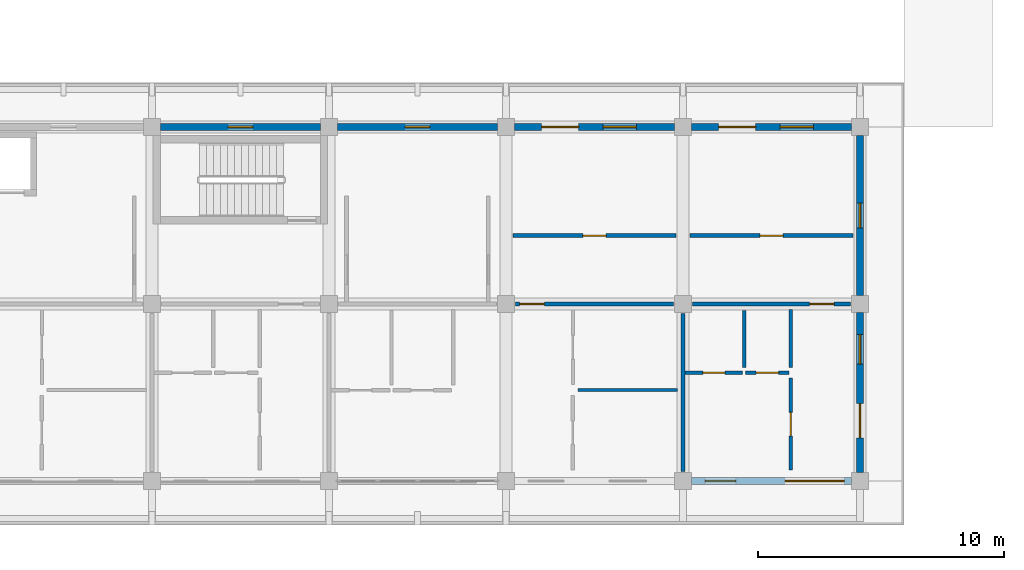
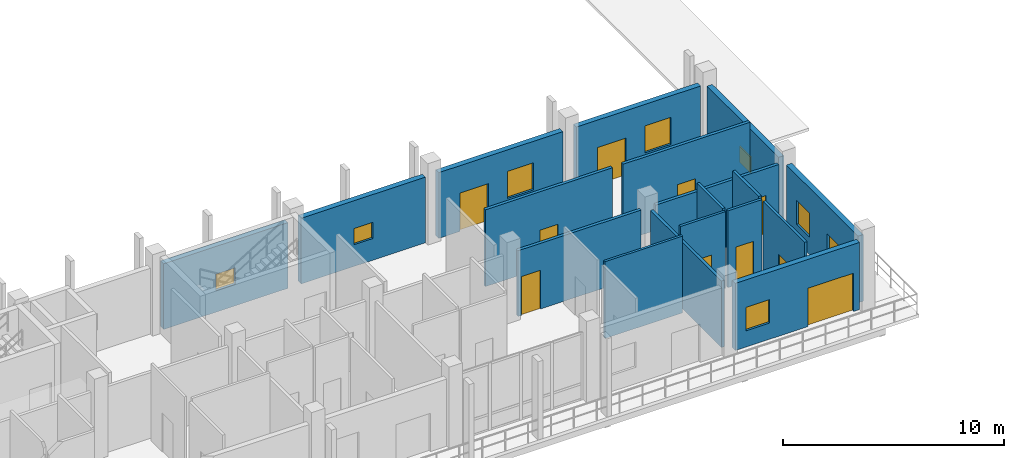
# One storey, part 67 of 110: 18 walls, 11 doors, 7 windows, 18 openings.
"""IFC4 building model written with IfcOpenShell, lengths in metres."""

from ifc_helpers import new_model, si_unit, direction, frame, frame_2d, origin, place, context, subcontext, project, spatial, rectangle, extrude, material, layer, layer_set, type_object, element, fill, save


model = new_model("IFC4")

# Units and contexts
model_context = context("Model", 3, precision=1e-05, world=origin(), true_north=direction((0.0, 1.0)))
body_context = subcontext(model_context, "Body", "Model", "MODEL_VIEW")
ifc_project = project(units=[si_unit("LENGTHUNIT", "METRE"), si_unit("AREAUNIT", "SQUARE_METRE"), si_unit("VOLUMEUNIT", "CUBIC_METRE"), si_unit("PLANEANGLEUNIT", "RADIAN"), si_unit("MASSUNIT", "GRAM", prefix="KILO")], contexts=[model_context])

# Site, building, storey
site_placement = place(None, origin())
site = spatial("IfcSite", under=ifc_project, at=site_placement, CompositionType="ELEMENT")
building_placement = place(site_placement, origin())
building = spatial("IfcBuilding", under=site, at=building_placement, Name="Suanplinth Sawtooth Commons", CompositionType="ELEMENT")
storey_placement = place(building_placement, frame((0.0, 0.0, 4.5)))
storey = spatial("IfcBuildingStorey", under=building, at=storey_placement, Name="L01", CompositionType="ELEMENT", Elevation=4.5)

# Wall, opening, window
ifc_material_1 = material(Name="Precast concrete C40/50", Category="concrete")
ifc_layer_1 = layer(ifc_material_1, 0.280029296875, Name="Insulated precast architectural facade wall 280mm")
ifc_layer_set_1 = layer_set([ifc_layer_1], Name="Precast concrete C40/50")
wall_type_1 = type_object("IfcWallType", Name="W-EX01", PredefinedType="ELEMENTEDWALL", material=ifc_layer_set_1)
wall_1_placement = place(storey_placement, frame((29.14990234375, 14.39990234375, 0.0), z_axis=(0.0, 0.0, 1.0), x_axis=(1.0, 0.0, 0.0)))
wall_1 = element("IfcWall", 1, at=wall_1_placement, inside=storey, type_object=wall_type_1, Name="Facade Wall W-L01-D-N-4-1", PredefinedType="ELEMENTEDWALL", context=body_context, shape_type="SweptSolid", body=[
    extrude(rectangle(XDim=6.5, YDim=0.280029296875, at=frame_2d((3.25, 0.0))), origin(), (0.0, 0.0, 1.0), 3.635009765625),
])
opening_1_placement = place(wall_1_placement, frame((2.75, 0.0, 1.199951171875)))
opening_1 = element("IfcOpeningElement", 2, at=opening_1_placement, cuts=wall_1, Name="Opening W0242", PredefinedType="OPENING", context=body_context, shape_type="SweptSolid", body=[
    extrude(rectangle(XDim=1.0, YDim=0.89990234375, at=frame_2d((0.5, 0.449951171875))), frame((0.0, 0.15478515625, 0.0), z_axis=(0.0, -1.0, 0.0), x_axis=(1.0, 0.0, 0.0)), (0.0, 0.0, 1.0), 0.309814453125),
])
ifc_material_2 = material(Name="Thermally broken aluminium and low-E double glazing", Category="aluminium")
window_type_1 = type_object("IfcWindowType", Name="WN-12", PartitioningType="SINGLE_PANEL", PredefinedType="WINDOW", material=ifc_material_2)
window_1_placement = place(opening_1_placement, origin())
window_1 = element("IfcWindow", 3, at=window_1_placement, inside=storey, type_object=window_type_1, Name="Core Daylight Window L01-D-4-1", OverallHeight=0.89990234375, OverallWidth=1.0, PartitioningType="SINGLE_PANEL", PredefinedType="WINDOW", context=body_context, shape_type="SweptSolid", body=[
    extrude(rectangle(XDim=1.0, YDim=0.89990234375, at=frame_2d((0.5, 0.449951171875))), frame((0.0, 0.030029296875, 0.0), z_axis=(0.0, -1.0, 0.0), x_axis=(1.0, 0.0, 0.0)), (0.0, 0.0, 1.0), 0.06005859375),
])
fill(opening_1, window_1)

wall_2_placement = place(storey_placement, frame((36.35009765625, 14.39990234375, 0.0), z_axis=(0.0, 0.0, 1.0), x_axis=(1.0, 0.0, 0.0)))
wall_2 = element("IfcWall", 4, at=wall_2_placement, inside=storey, type_object=wall_type_1, Name="Facade Wall W-L01-D-N-5-1", PredefinedType="ELEMENTEDWALL", context=body_context, shape_type="SweptSolid", body=[
    extrude(rectangle(XDim=6.5, YDim=0.280029296875, at=frame_2d((3.25, 0.0))), origin(), (0.0, 0.0, 1.0), 3.635009765625),
])
opening_2_placement = place(wall_2_placement, frame((2.75, 0.0, 1.199951171875)))
opening_2 = element("IfcOpeningElement", 5, at=opening_2_placement, cuts=wall_2, Name="Opening W0243", PredefinedType="OPENING", context=body_context, shape_type="SweptSolid", body=[
    extrude(rectangle(XDim=1.0, YDim=0.89990234375, at=frame_2d((0.5, 0.449951171875))), frame((0.0, 0.15478515625, 0.0), z_axis=(0.0, -1.0, 0.0), x_axis=(1.0, 0.0, 0.0)), (0.0, 0.0, 1.0), 0.309814453125),
])
window_2_placement = place(opening_2_placement, origin())
window_2 = element("IfcWindow", 6, at=window_2_placement, inside=storey, type_object=window_type_1, Name="Core Daylight Window L01-D-5-1", OverallHeight=0.89990234375, OverallWidth=1.0, PartitioningType="SINGLE_PANEL", PredefinedType="WINDOW", context=body_context, shape_type="SweptSolid", body=[
    extrude(rectangle(XDim=1.0, YDim=0.89990234375, at=frame_2d((0.5, 0.449951171875))), frame((0.0, 0.030029296875, 0.0), z_axis=(0.0, -1.0, 0.0), x_axis=(1.0, 0.0, 0.0)), (0.0, 0.0, 1.0), 0.06005859375),
])
fill(opening_2, window_2)

# Wall, openings, door, window
wall_3_placement = place(storey_placement, frame((43.550048828125, 14.39990234375, 0.0), z_axis=(0.0, 0.0, 1.0), x_axis=(1.0, 0.0, 0.0)))
wall_3 = element("IfcWall", 7, at=wall_3_placement, inside=storey, type_object=wall_type_1, Name="Facade Wall W-L01-D-N-6-1", PredefinedType="ELEMENTEDWALL", context=body_context, shape_type="SweptSolid", body=[
    extrude(rectangle(XDim=6.5, YDim=0.280029296875, at=frame_2d((3.25, 0.0))), origin(), (0.0, 0.0, 1.0), 3.635009765625),
])
opening_3_placement = place(wall_3_placement, frame((1.10009765625, 0.0, 0.0)))
opening_3 = element("IfcOpeningElement", 8, at=opening_3_placement, cuts=wall_3, Name="Opening ED0125", PredefinedType="OPENING", context=body_context, shape_type="SweptSolid", body=[
    extrude(rectangle(XDim=1.5, YDim=2.1201171875, at=frame_2d((0.75, 1.06005859375))), frame((0.0, 0.15478515625, 0.0), z_axis=(0.0, -1.0, 0.0), x_axis=(1.0, 0.0, 0.0)), (0.0, 0.0, 1.0), 0.309814453125),
])
opening_4_placement = place(wall_3_placement, frame((3.60009765625, 0.0, 0.949951171875)))
opening_4 = element("IfcOpeningElement", 9, at=opening_4_placement, cuts=wall_3, Name="Opening W0245", PredefinedType="OPENING", context=body_context, shape_type="SweptSolid", body=[
    extrude(rectangle(XDim=1.35009765625, YDim=1.5, at=frame_2d((0.675048828125, 0.75))), frame((0.0, 0.15478515625, 0.0), z_axis=(0.0, -1.0, 0.0), x_axis=(1.0, 0.0, 0.0)), (0.0, 0.0, 1.0), 0.309814453125),
])
ifc_material_3 = material(Name="Anodized aluminium and low-E glass", Category="aluminium")
door_type_1 = type_object("IfcDoorType", Name="SD-03", OperationType="SLIDING_TO_LEFT", PredefinedType="DOOR", material=ifc_material_3)
door_1_placement = place(opening_3_placement, frame((1.5, 0.0, 0.0), z_axis=(0.0, 0.0, 1.0), x_axis=(-1.0, 0.0, 0.0)))
door_1 = element("IfcDoor", 10, at=door_1_placement, inside=storey, type_object=door_type_1, Name="Courtyard Balcony Door L01-D-6", OperationType="SLIDING_TO_LEFT", OverallHeight=2.1201171875, OverallWidth=1.5, PredefinedType="DOOR", context=body_context, shape_type="SweptSolid", body=[
    extrude(rectangle(XDim=1.5, YDim=2.1201171875, at=frame_2d((0.75, 1.06005859375))), frame((0.0, 0.02490234375, 0.0), z_axis=(0.0, -1.0, 0.0), x_axis=(1.0, 0.0, 0.0)), (0.0, 0.0, 1.0), 0.050048828125),
])
fill(opening_3, door_1)
window_type_2 = type_object("IfcWindowType", Name="WN-14", PartitioningType="SINGLE_PANEL", PredefinedType="WINDOW", material=ifc_material_2)
window_3_placement = place(opening_4_placement, origin())
window_3 = element("IfcWindow", 11, at=window_3_placement, inside=storey, type_object=window_type_2, Name="Courtyard Window L01-D-6", OverallHeight=1.5, OverallWidth=1.35009765625, PartitioningType="SINGLE_PANEL", PredefinedType="WINDOW", context=body_context, shape_type="SweptSolid", body=[
    extrude(rectangle(XDim=1.35009765625, YDim=1.5, at=frame_2d((0.675048828125, 0.75))), frame((0.0, 0.030029296875, 0.0), z_axis=(0.0, -1.0, 0.0), x_axis=(1.0, 0.0, 0.0)), (0.0, 0.0, 1.0), 0.06005859375),
])
fill(opening_4, window_3)

wall_4_placement = place(storey_placement, frame((50.75, 0.0, 0.0), z_axis=(0.0, 0.0, 1.0), x_axis=(1.0, 0.0, 0.0)))
wall_4 = element("IfcWall", 12, at=wall_4_placement, inside=storey, type_object=wall_type_1, Name="Facade Wall W-L01-D-S-7-0", PredefinedType="ELEMENTEDWALL", context=body_context, shape_type="SweptSolid", body=[
    extrude(rectangle(XDim=6.5, YDim=0.280029296875, at=frame_2d((3.25, 0.0))), origin(), (0.0, 0.0, 1.0), 3.715087890625),
])
opening_5_placement = place(wall_4_placement, frame((3.800048828125, 0.0, 0.0)))
opening_5 = element("IfcOpeningElement", 13, at=opening_5_placement, cuts=wall_4, Name="Opening ED0126", PredefinedType="OPENING", context=body_context, shape_type="SweptSolid", body=[
    extrude(rectangle(XDim=2.39990234375, YDim=2.1201171875, at=frame_2d((1.199951171875, 1.06005859375))), frame((0.0, 0.15478515625, 0.0), z_axis=(0.0, -1.0, 0.0), x_axis=(1.0, 0.0, 0.0)), (0.0, 0.0, 1.0), 0.309814453125),
])
opening_6_placement = place(wall_4_placement, frame((0.550048828125, 0.0, 0.89990234375)))
opening_6 = element("IfcOpeningElement", 14, at=opening_6_placement, cuts=wall_4, Name="Opening W0246", PredefinedType="OPENING", context=body_context, shape_type="SweptSolid", body=[
    extrude(rectangle(XDim=1.25, YDim=1.300048828125, at=frame_2d((0.625, 0.64990234375))), frame((0.0, 0.15478515625, 0.0), z_axis=(0.0, -1.0, 0.0), x_axis=(1.0, 0.0, 0.0)), (0.0, 0.0, 1.0), 0.309814453125),
])
door_type_2 = type_object("IfcDoorType", Name="SD-04", OperationType="DOUBLE_DOOR_SLIDING", PredefinedType="DOOR", material=ifc_material_3)
door_2_placement = place(opening_5_placement, frame((2.39990234375, 0.0, 0.0), z_axis=(0.0, 0.0, 1.0), x_axis=(-1.0, 0.0, 0.0)))
door_2 = element("IfcDoor", 15, at=door_2_placement, inside=storey, type_object=door_type_2, Name="Balcony Sliding Door L01-D-7", OperationType="DOUBLE_DOOR_SLIDING", OverallHeight=2.1201171875, OverallWidth=2.39990234375, PredefinedType="DOOR", context=body_context, shape_type="SweptSolid", body=[
    extrude(rectangle(XDim=2.39990234375, YDim=2.1201171875, at=frame_2d((1.199951171875, 1.06005859375))), frame((0.0, 0.02490234375, 0.0), z_axis=(0.0, -1.0, 0.0), x_axis=(1.0, 0.0, 0.0)), (0.0, 0.0, 1.0), 0.050048828125),
])
fill(opening_5, door_2)
window_type_3 = type_object("IfcWindowType", Name="WN-17", PartitioningType="SINGLE_PANEL", PredefinedType="WINDOW", material=ifc_material_2)
window_4_placement = place(opening_6_placement, origin())
window_4 = element("IfcWindow", 16, at=window_4_placement, inside=storey, type_object=window_type_3, Name="Apartment Window L01-D-7", OverallHeight=1.300048828125, OverallWidth=1.25, PartitioningType="SINGLE_PANEL", PredefinedType="WINDOW", context=body_context, shape_type="SweptSolid", body=[
    extrude(rectangle(XDim=1.25, YDim=1.300048828125, at=frame_2d((0.625, 0.64990234375))), frame((0.0, 0.030029296875, 0.0), z_axis=(0.0, -1.0, 0.0), x_axis=(1.0, 0.0, 0.0)), (0.0, 0.0, 1.0), 0.06005859375),
])
fill(opening_6, window_4)

wall_5_placement = place(storey_placement, frame((57.60009765625, 0.35009765625, 0.0), z_axis=(0.0, 0.0, 1.0), x_axis=(0.0, 1.0, 0.0)))
wall_5 = element("IfcWall", 17, at=wall_5_placement, inside=storey, type_object=wall_type_1, Name="Facade Wall W-L01-D-E-7-0", PredefinedType="ELEMENTEDWALL", context=body_context, shape_type="SweptSolid", body=[
    extrude(rectangle(XDim=6.5, YDim=0.280029296875, at=frame_2d((3.25, 0.0))), origin(), (0.0, 0.0, 1.0), 3.68505859375),
])
opening_7_placement = place(wall_5_placement, frame((1.39990234375, 0.0, 0.0)))
opening_7 = element("IfcOpeningElement", 18, at=opening_7_placement, cuts=wall_5, Name="Opening ED0127", PredefinedType="OPENING", context=body_context, shape_type="SweptSolid", body=[
    extrude(rectangle(XDim=1.39990234375, YDim=2.10009765625, at=frame_2d((0.699951171875, 1.050048828125))), frame((0.0, 0.15478515625, 0.0), z_axis=(0.0, -1.0, 0.0), x_axis=(1.0, 0.0, 0.0)), (0.0, 0.0, 1.0), 0.309814453125),
])
opening_8_placement = place(wall_5_placement, frame((4.39990234375, 0.0, 0.949951171875)))
opening_8 = element("IfcOpeningElement", 19, at=opening_8_placement, cuts=wall_5, Name="Opening W0247", PredefinedType="OPENING", context=body_context, shape_type="SweptSolid", body=[
    extrude(rectangle(XDim=1.199951171875, YDim=1.35009765625, at=frame_2d((0.60009765625, 0.675048828125))), frame((0.0, 0.15478515625, 0.0), z_axis=(0.0, -1.0, 0.0), x_axis=(1.0, 0.0, 0.0)), (0.0, 0.0, 1.0), 0.309814453125),
])
door_type_3 = type_object("IfcDoorType", Name="SD-07", OperationType="SLIDING_TO_RIGHT", PredefinedType="DOOR", material=ifc_material_3)
door_3_placement = place(opening_7_placement, frame((1.39990234375, 0.0, 0.0), z_axis=(0.0, 0.0, 1.0), x_axis=(-1.0, 0.0, 0.0)))
door_3 = element("IfcDoor", 20, at=door_3_placement, inside=storey, type_object=door_type_3, Name="End Balcony Sliding Door L01-D-E-7-0", OperationType="SLIDING_TO_RIGHT", OverallHeight=2.10009765625, OverallWidth=1.39990234375, PredefinedType="DOOR", context=body_context, shape_type="SweptSolid", body=[
    extrude(rectangle(XDim=1.39990234375, YDim=2.10009765625, at=frame_2d((0.699951171875, 1.050048828125))), frame((0.0, 0.02490234375, 0.0), z_axis=(0.0, -1.0, 0.0), x_axis=(1.0, 0.0, 0.0)), (0.0, 0.0, 1.0), 0.050048828125),
])
fill(opening_7, door_3)
window_type_4 = type_object("IfcWindowType", Name="WN-03", PartitioningType="SINGLE_PANEL", PredefinedType="WINDOW", material=ifc_material_2)
window_5_placement = place(opening_8_placement, origin())
window_5 = element("IfcWindow", 21, at=window_5_placement, inside=storey, type_object=window_type_4, Name="End Bedroom Window L01-D-7-0", OverallHeight=1.35009765625, OverallWidth=1.199951171875, PartitioningType="SINGLE_PANEL", PredefinedType="WINDOW", context=body_context, shape_type="SweptSolid", body=[
    extrude(rectangle(XDim=1.199951171875, YDim=1.35009765625, at=frame_2d((0.60009765625, 0.675048828125))), frame((0.0, 0.030029296875, 0.0), z_axis=(0.0, -1.0, 0.0), x_axis=(1.0, 0.0, 0.0)), (0.0, 0.0, 1.0), 0.06005859375),
])
fill(opening_8, window_5)

wall_6_placement = place(storey_placement, frame((50.75, 14.39990234375, 0.0), z_axis=(0.0, 0.0, 1.0), x_axis=(1.0, 0.0, 0.0)))
wall_6 = element("IfcWall", 22, at=wall_6_placement, inside=storey, type_object=wall_type_1, Name="Facade Wall W-L01-D-N-7-1", PredefinedType="ELEMENTEDWALL", context=body_context, shape_type="SweptSolid", body=[
    extrude(rectangle(XDim=6.5, YDim=0.280029296875, at=frame_2d((3.25, 0.0))), origin(), (0.0, 0.0, 1.0), 3.635009765625),
])
opening_9_placement = place(wall_6_placement, frame((1.10009765625, 0.0, 0.0)))
opening_9 = element("IfcOpeningElement", 23, at=opening_9_placement, cuts=wall_6, Name="Opening ED0128", PredefinedType="OPENING", context=body_context, shape_type="SweptSolid", body=[
    extrude(rectangle(XDim=1.5, YDim=2.1201171875, at=frame_2d((0.75, 1.06005859375))), frame((0.0, 0.15478515625, 0.0), z_axis=(0.0, -1.0, 0.0), x_axis=(1.0, 0.0, 0.0)), (0.0, 0.0, 1.0), 0.309814453125),
])
opening_10_placement = place(wall_6_placement, frame((3.60009765625, 0.0, 0.949951171875)))
opening_10 = element("IfcOpeningElement", 24, at=opening_10_placement, cuts=wall_6, Name="Opening W0248", PredefinedType="OPENING", context=body_context, shape_type="SweptSolid", body=[
    extrude(rectangle(XDim=1.35009765625, YDim=1.5, at=frame_2d((0.675048828125, 0.75))), frame((0.0, 0.15478515625, 0.0), z_axis=(0.0, -1.0, 0.0), x_axis=(1.0, 0.0, 0.0)), (0.0, 0.0, 1.0), 0.309814453125),
])
door_4_placement = place(opening_9_placement, frame((1.5, 0.0, 0.0), z_axis=(0.0, 0.0, 1.0), x_axis=(-1.0, 0.0, 0.0)))
door_4 = element("IfcDoor", 25, at=door_4_placement, inside=storey, type_object=door_type_1, Name="Courtyard Balcony Door L01-D-7", OperationType="SLIDING_TO_LEFT", OverallHeight=2.1201171875, OverallWidth=1.5, PredefinedType="DOOR", context=body_context, shape_type="SweptSolid", body=[
    extrude(rectangle(XDim=1.5, YDim=2.1201171875, at=frame_2d((0.75, 1.06005859375))), frame((0.0, 0.02490234375, 0.0), z_axis=(0.0, -1.0, 0.0), x_axis=(1.0, 0.0, 0.0)), (0.0, 0.0, 1.0), 0.050048828125),
])
fill(opening_9, door_4)
window_6_placement = place(opening_10_placement, origin())
window_6 = element("IfcWindow", 26, at=window_6_placement, inside=storey, type_object=window_type_2, Name="Courtyard Window L01-D-7", OverallHeight=1.5, OverallWidth=1.35009765625, PartitioningType="SINGLE_PANEL", PredefinedType="WINDOW", context=body_context, shape_type="SweptSolid", body=[
    extrude(rectangle(XDim=1.35009765625, YDim=1.5, at=frame_2d((0.675048828125, 0.75))), frame((0.0, 0.030029296875, 0.0), z_axis=(0.0, -1.0, 0.0), x_axis=(1.0, 0.0, 0.0)), (0.0, 0.0, 1.0), 0.06005859375),
])
fill(opening_10, window_6)

# Wall, opening, window
wall_7_placement = place(storey_placement, frame((57.60009765625, 7.550048828125, 0.0), z_axis=(0.0, 0.0, 1.0), x_axis=(0.0, 1.0, 0.0)))
wall_7 = element("IfcWall", 27, at=wall_7_placement, inside=storey, type_object=wall_type_1, Name="Facade Wall W-L01-D-E-7-1", PredefinedType="ELEMENTEDWALL", context=body_context, shape_type="SweptSolid", body=[
    extrude(rectangle(XDim=6.5, YDim=0.280029296875, at=frame_2d((3.25, 0.0))), origin(), (0.0, 0.0, 1.0), 3.68505859375),
])
opening_11_placement = place(wall_7_placement, frame((2.75, 0.0, 1.10009765625)))
opening_11 = element("IfcOpeningElement", 28, at=opening_11_placement, cuts=wall_7, Name="Opening W0249", PredefinedType="OPENING", context=body_context, shape_type="SweptSolid", body=[
    extrude(rectangle(XDim=1.0, YDim=0.89990234375, at=frame_2d((0.5, 0.449951171875))), frame((0.0, 0.15478515625, 0.0), z_axis=(0.0, -1.0, 0.0), x_axis=(1.0, 0.0, 0.0)), (0.0, 0.0, 1.0), 0.309814453125),
])
window_7_placement = place(opening_11_placement, origin())
window_7 = element("IfcWindow", 29, at=window_7_placement, inside=storey, type_object=window_type_1, Name="End Window L01-D-E-7-1", OverallHeight=0.89990234375, OverallWidth=1.0, PartitioningType="SINGLE_PANEL", PredefinedType="WINDOW", context=body_context, shape_type="SweptSolid", body=[
    extrude(rectangle(XDim=1.0, YDim=0.89990234375, at=frame_2d((0.5, 0.449951171875))), frame((0.0, 0.030029296875, 0.0), z_axis=(0.0, -1.0, 0.0), x_axis=(1.0, 0.0, 0.0)), (0.0, 0.0, 1.0), 0.06005859375),
])
fill(opening_11, window_7)

# Wall, opening, door
ifc_layer_2 = layer(ifc_material_1, 0.159912109375, Name="Fire-rated corridor and lobby wall 160mm")
ifc_layer_set_2 = layer_set([ifc_layer_2], Name="Precast concrete C40/50")
wall_type_2 = type_object("IfcWallType", Name="W-FW01", PredefinedType="PARTITIONING", material=ifc_layer_set_2)
wall_8_placement = place(storey_placement, frame((43.580078125, 7.199951171875, 0.0), z_axis=(0.0, 0.0, 1.0), x_axis=(1.0, 0.0, 0.0)))
wall_8 = element("IfcWall", 30, at=wall_8_placement, inside=storey, type_object=wall_type_2, Name="W-D-L01-U05-COR-S2", PredefinedType="PARTITIONING", context=body_context, shape_type="SweptSolid", body=[
    extrude(rectangle(XDim=6.43994140625, YDim=0.159912109375, at=frame_2d((3.219970703125, 0.0))), origin(), (0.0, 0.0, 1.0), 3.635009765625),
])
opening_12_placement = place(wall_8_placement, frame((0.179931640625, 0.0, 0.0)))
opening_12 = element("IfcOpeningElement", 31, at=opening_12_placement, cuts=wall_8, Name="Opening FD0665", PredefinedType="OPENING", context=body_context, shape_type="SweptSolid", body=[
    extrude(rectangle(XDim=1.0, YDim=2.14990234375, at=frame_2d((0.5, 1.074951171875))), frame((0.0, 0.0947265625, 0.0), z_axis=(0.0, -1.0, 0.0), x_axis=(1.0, 0.0, 0.0)), (0.0, 0.0, 1.0), 0.189697265625),
])
ifc_material_4 = material(Name="Teak hardwood fire-rated door assembly", Category="wood")
door_type_4 = type_object("IfcDoorType", Name="FD-03", OperationType="NOTDEFINED", PredefinedType="DOOR", material=ifc_material_4)
door_5_placement = place(opening_12_placement, frame((1.0, 0.0, 0.0), z_axis=(0.0, 0.0, 1.0), x_axis=(-1.0, 0.0, 0.0)))
door_5 = element("IfcDoor", 32, at=door_5_placement, inside=storey, type_object=door_type_4, Name="Unit Entrance Door FD0665", OperationType="SINGLE_SWING_LEFT", OverallHeight=2.14990234375, OverallWidth=1.0, PredefinedType="DOOR", context=body_context, shape_type="SweptSolid", body=[
    extrude(rectangle(XDim=1.0, YDim=2.14990234375, at=frame_2d((0.5, 1.074951171875))), frame((0.0, 0.02490234375, 0.0), z_axis=(0.0, -1.0, 0.0), x_axis=(1.0, 0.0, 0.0)), (0.0, 0.0, 1.0), 0.050048828125),
])
fill(opening_12, door_5)

wall_9_placement = place(storey_placement, frame((50.780029296875, 7.199951171875, 0.0), z_axis=(0.0, 0.0, 1.0), x_axis=(1.0, 0.0, 0.0)))
wall_9 = element("IfcWall", 33, at=wall_9_placement, inside=storey, type_object=wall_type_2, Name="W-D-L01-U06-COR", PredefinedType="PARTITIONING", context=body_context, shape_type="SweptSolid", body=[
    extrude(rectangle(XDim=6.43994140625, YDim=0.159912109375, at=frame_2d((3.219970703125, 0.0))), origin(), (0.0, 0.0, 1.0), 3.635009765625),
])
opening_13_placement = place(wall_9_placement, frame((4.77001953125, 0.0, 0.0)))
opening_13 = element("IfcOpeningElement", 34, at=opening_13_placement, cuts=wall_9, Name="Opening FD0670", PredefinedType="OPENING", context=body_context, shape_type="SweptSolid", body=[
    extrude(rectangle(XDim=1.0, YDim=2.14990234375, at=frame_2d((0.5, 1.074951171875))), frame((0.0, 0.0947265625, 0.0), z_axis=(0.0, -1.0, 0.0), x_axis=(1.0, 0.0, 0.0)), (0.0, 0.0, 1.0), 0.189697265625),
])
door_6_placement = place(opening_13_placement, frame((1.0, 0.0, 0.0), z_axis=(0.0, 0.0, 1.0), x_axis=(-1.0, 0.0, 0.0)))
door_6 = element("IfcDoor", 35, at=door_6_placement, inside=storey, type_object=door_type_4, Name="Unit Entrance Door FD0670", OperationType="SINGLE_SWING_RIGHT", OverallHeight=2.14990234375, OverallWidth=1.0, PredefinedType="DOOR", context=body_context, shape_type="SweptSolid", body=[
    extrude(rectangle(XDim=1.0, YDim=2.14990234375, at=frame_2d((0.5, 1.074951171875))), frame((0.0, 0.02490234375, 0.0), z_axis=(0.0, -1.0, 0.0), x_axis=(1.0, 0.0, 0.0)), (0.0, 0.0, 1.0), 0.050048828125),
])
fill(opening_13, door_6)

wall_10_placement = place(storey_placement, frame((43.47998046875, 9.97998046875, 0.0), z_axis=(0.0, 0.0, 1.0), x_axis=(1.0, 0.0, 0.0)))
wall_10 = element("IfcWall", 36, at=wall_10_placement, inside=storey, type_object=wall_type_2, Name="W-D-L01-COURTROOM-65-COR", PredefinedType="PARTITIONING", context=body_context, shape_type="SweptSolid", body=[
    extrude(rectangle(XDim=6.64013671875, YDim=0.159912109375, at=frame_2d((3.320068359375, 0.0))), origin(), (0.0, 0.0, 1.0), 4.25),
])
opening_14_placement = place(wall_10_placement, frame((2.85009765625, 0.0, 0.0)))
opening_14 = element("IfcOpeningElement", 37, at=opening_14_placement, cuts=wall_10, Name="Opening D0674", PredefinedType="OPENING", context=body_context, shape_type="SweptSolid", body=[
    extrude(rectangle(XDim=0.93994140625, YDim=2.1201171875, at=frame_2d((0.469970703125, 1.06005859375))), frame((0.0, 0.0947265625, 0.0), z_axis=(0.0, -1.0, 0.0), x_axis=(1.0, 0.0, 0.0)), (0.0, 0.0, 1.0), 0.189697265625),
])
ifc_material_5 = material(Name="Teak hardwood", Category="wood")
door_type_5 = type_object("IfcDoorType", Name="D-15", OperationType="NOTDEFINED", PredefinedType="DOOR", material=ifc_material_5)
door_7_placement = place(opening_14_placement, origin())
door_7 = element("IfcDoor", 38, at=door_7_placement, inside=storey, type_object=door_type_5, Name="Study Studio Door D0674", OperationType="SINGLE_SWING_RIGHT", OverallHeight=2.1201171875, OverallWidth=0.93994140625, PredefinedType="DOOR", context=body_context, shape_type="SweptSolid", body=[
    extrude(rectangle(XDim=0.93994140625, YDim=2.1201171875, at=frame_2d((0.469970703125, 1.06005859375))), frame((0.0, 0.02490234375, 0.0), z_axis=(0.0, -1.0, 0.0), x_axis=(1.0, 0.0, 0.0)), (0.0, 0.0, 1.0), 0.050048828125),
])
fill(opening_14, door_7)

wall_11_placement = place(storey_placement, frame((50.679931640625, 9.97998046875, 0.0), z_axis=(0.0, 0.0, 1.0), x_axis=(1.0, 0.0, 0.0)))
wall_11 = element("IfcWall", 39, at=wall_11_placement, inside=storey, type_object=wall_type_2, Name="W-D-L01-COURTROOM-66-COR", PredefinedType="PARTITIONING", context=body_context, shape_type="SweptSolid", body=[
    extrude(rectangle(XDim=6.64013671875, YDim=0.159912109375, at=frame_2d((3.320068359375, 0.0))), origin(), (0.0, 0.0, 1.0), 4.25),
])
opening_15_placement = place(wall_11_placement, frame((2.85009765625, 0.0, 0.0)))
opening_15 = element("IfcOpeningElement", 40, at=opening_15_placement, cuts=wall_11, Name="Opening D0675", PredefinedType="OPENING", context=body_context, shape_type="SweptSolid", body=[
    extrude(rectangle(XDim=0.93994140625, YDim=2.1201171875, at=frame_2d((0.469970703125, 1.06005859375))), frame((0.0, 0.0947265625, 0.0), z_axis=(0.0, -1.0, 0.0), x_axis=(1.0, 0.0, 0.0)), (0.0, 0.0, 1.0), 0.189697265625),
])
door_8_placement = place(opening_15_placement, origin())
door_8 = element("IfcDoor", 41, at=door_8_placement, inside=storey, type_object=door_type_5, Name="Study Studio Door D0675", OperationType="SINGLE_SWING_LEFT", OverallHeight=2.1201171875, OverallWidth=0.93994140625, PredefinedType="DOOR", context=body_context, shape_type="SweptSolid", body=[
    extrude(rectangle(XDim=0.93994140625, YDim=2.1201171875, at=frame_2d((0.469970703125, 1.06005859375))), frame((0.0, 0.02490234375, 0.0), z_axis=(0.0, -1.0, 0.0), x_axis=(1.0, 0.0, 0.0)), (0.0, 0.0, 1.0), 0.050048828125),
])
fill(opening_15, door_8)

# Wall
ifc_layer_3 = layer(ifc_material_1, 0.14990234375, Name="Acoustic precast party demising wall 150mm")
ifc_layer_set_3 = layer_set([ifc_layer_3], Name="Precast concrete C40/50")
wall_type_3 = type_object("IfcWallType", Name="W-FW02", PredefinedType="PARTITIONING", material=ifc_layer_set_3)
wall_12_placement = place(storey_placement, frame((50.39990234375, 0.3798828125, 0.0), z_axis=(0.0, 0.0, 1.0), x_axis=(0.0, 1.0, 0.0)))
element("IfcWall", 42, at=wall_12_placement, inside=storey, type_object=wall_type_3, Name="W-D-L01-U05-PTY", PredefinedType="PARTITIONING", context=body_context, shape_type="SweptSolid", body=[
    extrude(rectangle(XDim=6.440185546875, YDim=0.14990234375, at=frame_2d((3.22021484375, 0.0))), origin(), (0.0, 0.0, 1.0), 3.68505859375),
])

# Wall, opening, door
ifc_material_6 = material(Name="Gypsum plasterboard on steel stud", Category="steel")
ifc_layer_4 = layer(ifc_material_6, 0.139892578125, Name="Fire-rated kitchen partition 140mm")
ifc_layer_set_4 = layer_set([ifc_layer_4], Name="Gypsum plasterboard on steel stud")
wall_type_4 = type_object("IfcWallType", Name="W-PT01", PredefinedType="PARTITIONING", material=ifc_layer_set_4)
wall_13_placement = place(storey_placement, frame((52.949951171875, 4.39990234375, 0.0), z_axis=(0.0, 0.0, 1.0), x_axis=(1.0, 0.0, 0.0)))
wall_13 = element("IfcWall", 43, at=wall_13_placement, inside=storey, type_object=wall_type_4, Name="W-D-L01-U06-KIT1", PredefinedType="PARTITIONING", context=body_context, shape_type="SweptSolid", body=[
    extrude(rectangle(XDim=1.77001953125, YDim=0.139892578125, at=frame_2d((0.885009765625, 0.0))), origin(), (0.0, 0.0, 1.0), 4.25),
])
opening_16_placement = place(wall_13_placement, frame((0.425048828125, 0.0, 0.0)))
opening_16 = element("IfcOpeningElement", 44, at=opening_16_placement, cuts=wall_13, Name="Opening D0672", PredefinedType="OPENING", context=body_context, shape_type="SweptSolid", body=[
    extrude(rectangle(XDim=0.919921875, YDim=2.10009765625, at=frame_2d((0.4599609375, 1.050048828125))), frame((0.0, 0.0849609375, 0.0), z_axis=(0.0, -1.0, 0.0), x_axis=(1.0, 0.0, 0.0)), (0.0, 0.0, 1.0), 0.169677734375),
])
door_type_6 = type_object("IfcDoorType", Name="D-02", OperationType="NOTDEFINED", PredefinedType="DOOR", material=ifc_material_5)
door_9_placement = place(opening_16_placement, origin())
door_9 = element("IfcDoor", 45, at=door_9_placement, inside=storey, type_object=door_type_6, Name="Kitchen Door D0672", OperationType="SINGLE_SWING_RIGHT", OverallHeight=2.10009765625, OverallWidth=0.919921875, PredefinedType="DOOR", context=body_context, shape_type="SweptSolid", body=[
    extrude(rectangle(XDim=0.919921875, YDim=2.10009765625, at=frame_2d((0.4599609375, 1.050048828125))), frame((0.0, 0.02490234375, 0.0), z_axis=(0.0, -1.0, 0.0), x_axis=(1.0, 0.0, 0.0)), (0.0, 0.0, 1.0), 0.050048828125),
])
fill(opening_16, door_9)

# Wall
wall_14_placement = place(storey_placement, frame((54.7900390625, 4.6201171875, 0.0), z_axis=(0.0, 0.0, 1.0), x_axis=(0.0, 1.0, 0.0)))
element("IfcWall", 46, at=wall_14_placement, inside=storey, type_object=wall_type_4, Name="W-D-L01-U06-KIT2", PredefinedType="PARTITIONING", context=body_context, shape_type="SweptSolid", body=[
    extrude(rectangle(XDim=2.349853515625, YDim=0.139892578125, at=frame_2d((1.1748046875, 0.0))), origin(), (0.0, 0.0, 1.0), 4.25),
])

# Wall, opening, door
ifc_layer_5 = layer(ifc_material_6, 0.1298828125, Name="Moisture-resistant bathroom partition 130mm")
ifc_layer_set_5 = layer_set([ifc_layer_5], Name="Gypsum plasterboard on steel stud")
wall_type_5 = type_object("IfcWallType", Name="W-PT02", PredefinedType="PARTITIONING", material=ifc_layer_set_5)
wall_15_placement = place(storey_placement, frame((50.47998046875, 4.405029296875, 0.0), z_axis=(0.0, 0.0, 1.0), x_axis=(1.0, 0.0, 0.0)))
wall_15 = element("IfcWall", 47, at=wall_15_placement, inside=storey, type_object=wall_type_5, Name="W-D-L01-U06-BTH1", PredefinedType="PARTITIONING", context=body_context, shape_type="SweptSolid", body=[
    extrude(rectangle(XDim=2.35009765625, YDim=0.1298828125, at=frame_2d((1.175048828125, 0.0))), origin(), (0.0, 0.0, 1.0), 4.25),
])
opening_17_placement = place(wall_15_placement, frame((0.72509765625, 0.0, 0.0)))
opening_17 = element("IfcOpeningElement", 48, at=opening_17_placement, cuts=wall_15, Name="Opening D0671", PredefinedType="OPENING", context=body_context, shape_type="SweptSolid", body=[
    extrude(rectangle(XDim=0.89990234375, YDim=2.10009765625, at=frame_2d((0.449951171875, 1.050048828125))), frame((0.0, 0.079833984375, 0.0), z_axis=(0.0, -1.0, 0.0), x_axis=(1.0, 0.0, 0.0)), (0.0, 0.0, 1.0), 0.15966796875),
])
door_type_7 = type_object("IfcDoorType", Name="D-01", OperationType="NOTDEFINED", PredefinedType="DOOR", material=ifc_material_5)
door_10_placement = place(opening_17_placement, origin())
door_10 = element("IfcDoor", 49, at=door_10_placement, inside=storey, type_object=door_type_7, Name="Bathroom Door D0671", OperationType="SINGLE_SWING_LEFT", OverallHeight=2.10009765625, OverallWidth=0.89990234375, PredefinedType="DOOR", context=body_context, shape_type="SweptSolid", body=[
    extrude(rectangle(XDim=0.89990234375, YDim=2.10009765625, at=frame_2d((0.449951171875, 1.050048828125))), frame((0.0, 0.02490234375, 0.0), z_axis=(0.0, -1.0, 0.0), x_axis=(1.0, 0.0, 0.0)), (0.0, 0.0, 1.0), 0.050048828125),
])
fill(opening_17, door_10)

# Walls
wall_16_placement = place(storey_placement, frame((52.89501953125, 4.610107421875, 0.0), z_axis=(0.0, 0.0, 1.0), x_axis=(0.0, 1.0, 0.0)))
element("IfcWall", 50, at=wall_16_placement, inside=storey, type_object=wall_type_5, Name="W-D-L01-U06-BTH2", PredefinedType="PARTITIONING", context=body_context, shape_type="SweptSolid", body=[
    extrude(rectangle(XDim=2.329833984375, YDim=0.1298828125, at=frame_2d((1.1650390625, 0.0))), origin(), (0.0, 0.0, 1.0), 4.25),
])
ifc_layer_6 = layer(ifc_material_6, 0.125, Name="Acoustic study partition 125mm")
ifc_layer_set_6 = layer_set([ifc_layer_6], Name="Gypsum plasterboard on steel stud")
wall_type_6 = type_object("IfcWallType", Name="W-PT06", PredefinedType="PARTITIONING", material=ifc_layer_set_6)
wall_17_placement = place(storey_placement, frame((46.1201171875, 3.699951171875, 0.0), z_axis=(0.0, 0.0, 1.0), x_axis=(1.0, 0.0, 0.0)))
element("IfcWall", 51, at=wall_17_placement, inside=storey, type_object=wall_type_6, Name="W-D-L01-U05-BEDDIV", PredefinedType="PARTITIONING", context=body_context, shape_type="SweptSolid", body=[
    extrude(rectangle(XDim=4.059814453125, YDim=0.125, at=frame_2d((2.02978515625, 0.0))), origin(), (0.0, 0.0, 1.0), 4.25),
])

# Wall, opening, door
ifc_layer_7 = layer(ifc_material_6, 0.135009765625, Name="Insulated bedroom demising partition 135mm")
ifc_layer_set_7 = layer_set([ifc_layer_7], Name="Gypsum plasterboard on steel stud")
wall_type_7 = type_object("IfcWallType", Name="W-PT07", PredefinedType="PARTITIONING", material=ifc_layer_set_7)
wall_18_placement = place(storey_placement, frame((54.780029296875, 0.43994140625, 0.0), z_axis=(0.0, 0.0, 1.0), x_axis=(0.0, 1.0, 0.0)))
wall_18 = element("IfcWall", 52, at=wall_18_placement, inside=storey, type_object=wall_type_7, Name="W-D-L01-U06-BED1", PredefinedType="PARTITIONING", context=body_context, shape_type="SweptSolid", body=[
    extrude(rectangle(XDim=3.75, YDim=0.135009765625, at=frame_2d((1.875, 0.0))), origin(), (0.0, 0.0, 1.0), 4.25),
])
opening_18_placement = place(wall_18_placement, frame((1.39990234375, 0.0, 0.0)))
opening_18 = element("IfcOpeningElement", 53, at=opening_18_placement, cuts=wall_18, Name="Opening D0673", PredefinedType="OPENING", context=body_context, shape_type="SweptSolid", body=[
    extrude(rectangle(XDim=0.949951171875, YDim=2.14990234375, at=frame_2d((0.47509765625, 1.074951171875))), frame((0.0, 0.08251953125, 0.0), z_axis=(0.0, -1.0, 0.0), x_axis=(1.0, 0.0, 0.0)), (0.0, 0.0, 1.0), 0.164794921875),
])
door_type_8 = type_object("IfcDoorType", Name="D-03", OperationType="NOTDEFINED", PredefinedType="DOOR", material=ifc_material_5)
door_11_placement = place(opening_18_placement, origin())
door_11 = element("IfcDoor", 54, at=door_11_placement, inside=storey, type_object=door_type_8, Name="Bedroom Door D0673", OperationType="SINGLE_SWING_LEFT", OverallHeight=2.14990234375, OverallWidth=0.949951171875, PredefinedType="DOOR", context=body_context, shape_type="SweptSolid", body=[
    extrude(rectangle(XDim=0.949951171875, YDim=2.14990234375, at=frame_2d((0.47509765625, 1.074951171875))), frame((0.0, 0.02490234375, 0.0), z_axis=(0.0, -1.0, 0.0), x_axis=(1.0, 0.0, 0.0)), (0.0, 0.0, 1.0), 0.050048828125),
])
fill(opening_18, door_11)

save(model, "model.ifc")
